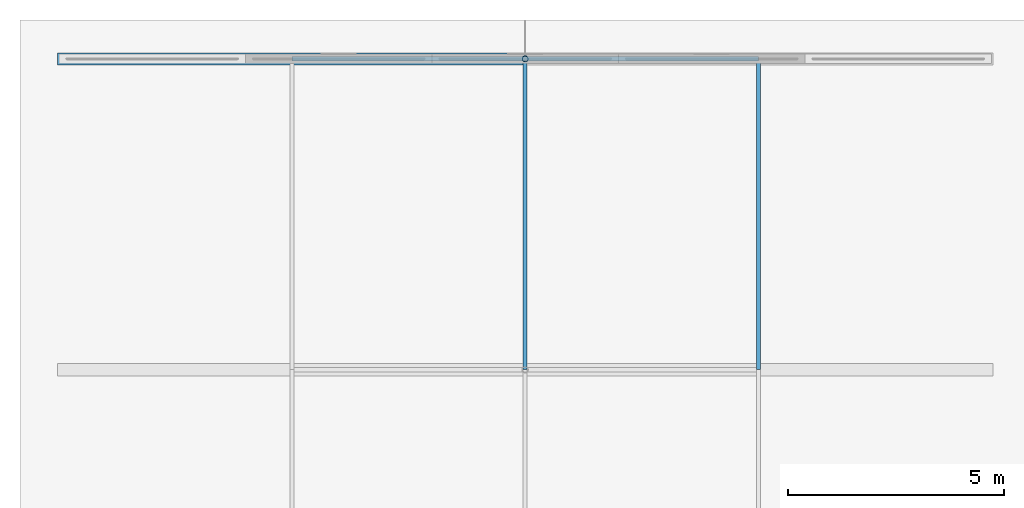
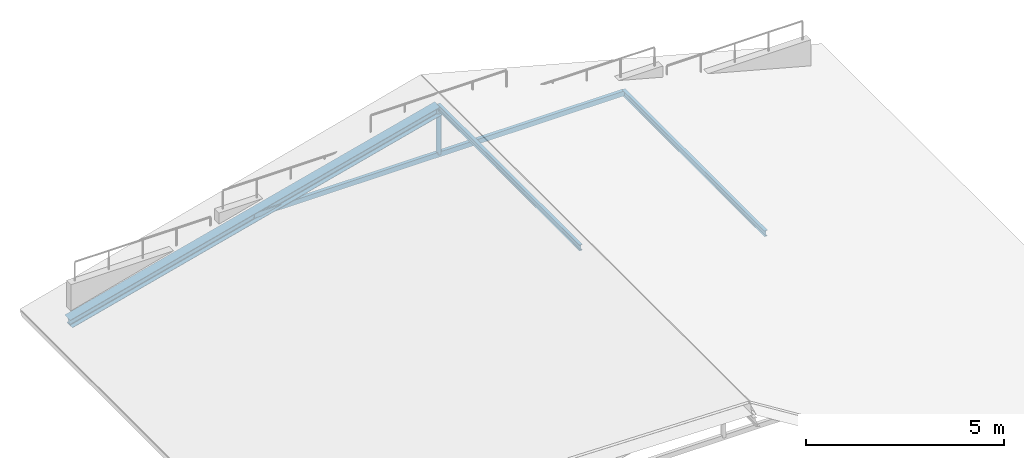
# One storey, part 6 of 8: 5 members.
"""IFC4 building model written with IfcOpenShell, lengths in metres."""

from ifc_helpers import new_model, si_unit, direction, frame, origin, origin_2d, place, context, subcontext, project, spatial, hollow_rectangle, hollow_circle, i_section, extrude, material, material_profile, profile_set, type_object, element, save


model = new_model("IFC4")

# Units and contexts
model_context = context("Model", 3, precision=1e-05, world=origin(), true_north=direction((0.0, 1.0)))
body_context = subcontext(model_context, "Body", "Model", "MODEL_VIEW")
ifc_project = project(units=[si_unit("LENGTHUNIT", "METRE"), si_unit("AREAUNIT", "SQUARE_METRE"), si_unit("VOLUMEUNIT", "CUBIC_METRE"), si_unit("PLANEANGLEUNIT", "RADIAN"), si_unit("MASSUNIT", "GRAM", prefix="KILO"), si_unit("THERMODYNAMICTEMPERATUREUNIT", "KELVIN"), si_unit("POWERUNIT", "WATT")], contexts=[model_context])

# Site, building, storey
site_placement = place(None, origin())
site = spatial("IfcSite", under=ifc_project, at=site_placement, CompositionType="ELEMENT")
building_placement = place(site_placement, origin())
building = spatial("IfcBuilding", under=site, at=building_placement, Name="Tavuni Mirador Residences", CompositionType="ELEMENT")
storey_placement = place(building_placement, frame((0.0, 0.0, 51.75)))
storey = spatial("IfcBuildingStorey", under=building, at=storey_placement, Name="RF", CompositionType="ELEMENT", Elevation=51.75)

# Members
ifc_material = material(Name="Structural steel S355", Category="steel")
ifc_material_profile_1 = material_profile(ifc_material, hollow_circle(Radius=0.06982421875, WallThickness=0.008056640625, at=origin_2d()), Name="CHS 139.7x8.0", Category="steel")
ifc_profile_set_1 = profile_set([ifc_material_profile_1], Name="Structural steel S355")
member_type_1 = type_object("IfcMemberType", Name="MT-BR-CHS139", PredefinedType="BRACE", material=ifc_profile_set_1)
member_1_placement = place(storey_placement, frame((14.39990234375, 36.0, 1.050048828125), z_axis=(0.0, 0.0, 1.0), x_axis=(1.0, 0.0, 0.0)))
element("IfcMember", 1, at=member_1_placement, inside=storey, type_object=member_type_1, Name="RKP-BLK-A-04", PredefinedType="BRACE", context=body_context, shape_type="SweptSolid", body=[
    extrude(hollow_circle(Radius=0.06982421875, WallThickness=0.008056640625, at=origin_2d()), origin(), (0.0, 0.0, 1.0), 1.39990234375),
])
ifc_material_profile_2 = material_profile(ifc_material, hollow_rectangle(XDim=0.10009765625, YDim=0.14990234375, WallThickness=0.008056640625, at=origin_2d()), Name="RHS 150x100x8.0", Category="steel")
ifc_profile_set_2 = profile_set([ifc_material_profile_2], Name="Structural steel S355")
member_type_2 = type_object("IfcMemberType", Name="MT-BR-RHS150", PredefinedType="BRACE", material=ifc_profile_set_2)
member_2_placement = place(storey_placement, frame((9.0, 36.0, 1.050048828125), z_axis=(1.0, 0.0, 0.0), x_axis=(0.0, 1.0, 0.0)))
element("IfcMember", 2, at=member_2_placement, inside=storey, type_object=member_type_2, Name="RTIE-BLK-A-04", PredefinedType="BRACE", context=body_context, shape_type="SweptSolid", body=[
    extrude(hollow_rectangle(XDim=0.10009765625, YDim=0.14990234375, WallThickness=0.008056640625, at=origin_2d()), origin(), (0.0, 0.0, 1.0), 10.800048828125),
])
ifc_material_profile_3 = material_profile(ifc_material, i_section(OverallWidth=0.280029296875, OverallDepth=0.27001953125, WebThickness=0.008056640625, FlangeThickness=0.012939453125, FilletRadius=0.02392578125, at=origin_2d()), Name="HEA 280", Category="steel")
ifc_profile_set_3 = profile_set([ifc_material_profile_3], Name="Structural steel S355")
member_type_3 = type_object("IfcMemberType", Name="MT-CH-HEA280", PredefinedType="CHORD", material=ifc_profile_set_3)
member_3_placement = place(storey_placement, frame((3.60009765625, 36.0, -0.35009765625), z_axis=(0.96799473238, 0.0, 0.250970512381), x_axis=(0.0, 1.0, 0.0)))
element("IfcMember", 3, at=member_3_placement, inside=storey, type_object=member_type_3, Name="RAF-BLK-A-04-W", PredefinedType="CHORD", context=body_context, shape_type="SweptSolid", body=[
    extrude(i_section(OverallWidth=0.280029296875, OverallDepth=0.27001953125, WebThickness=0.008056640625, FlangeThickness=0.012939453125, FilletRadius=0.02392578125, at=origin_2d()), origin(), (0.0, 0.0, 1.0), 11.156982421875),
])
ifc_material_profile_4 = material_profile(ifc_material, i_section(OverallWidth=0.091064453125, OverallDepth=0.179931640625, WebThickness=0.00537109375, FlangeThickness=0.008056640625, FilletRadius=0.009033203125, at=origin_2d()), Name="IPE 180", Category="steel")
ifc_profile_set_4 = profile_set([ifc_material_profile_4], Name="Structural steel S355")
member_type_4 = type_object("IfcMemberType", Name="MT-PR-IPE180", PredefinedType="PURLIN", material=ifc_profile_set_4)
for number, where, z_axis, x_axis, name in (
    (4, (14.39990234375, 28.800048828125, 2.510009765625), (0.0, 1.0, 0.0), (-1.0, 0.0, 0.0), "RPUR-BLK-A-50-03"),
    (5, (19.800048828125, 28.800048828125, 1.06005859375), (0.0, 1.0, 0.0), (-1.0, 0.0, 0.0), "RPUR-BLK-A-75-03"),
):
    element("IfcMember", number, at=place(storey_placement, frame(where, z_axis=z_axis, x_axis=x_axis)), inside=storey, type_object=member_type_4, Name=name, PredefinedType="PURLIN", context=body_context, shape_type="SweptSolid", body=[
        extrude(i_section(OverallWidth=0.091064453125, OverallDepth=0.179931640625, WebThickness=0.00537109375, FlangeThickness=0.008056640625, FilletRadius=0.009033203125, at=origin_2d()), origin(), (0.0, 0.0, 1.0), 7.199951171875),
    ])

save(model, "model.ifc")
